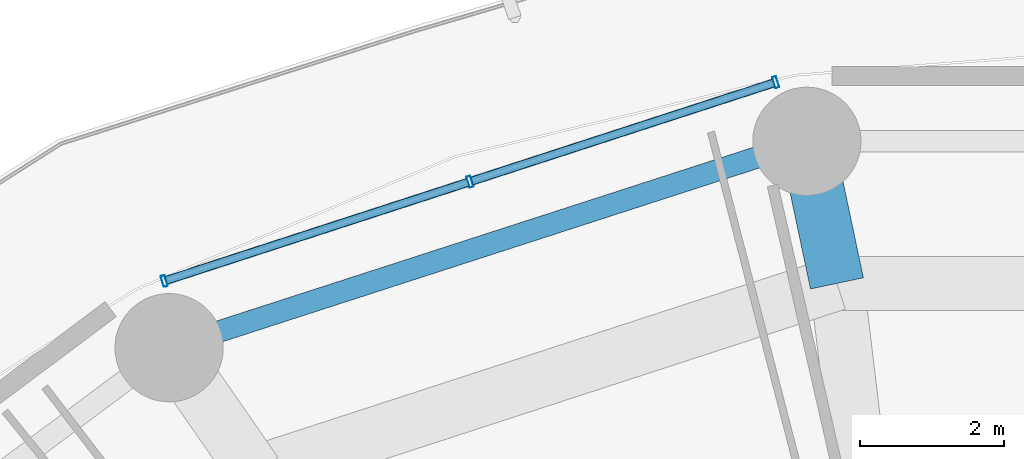
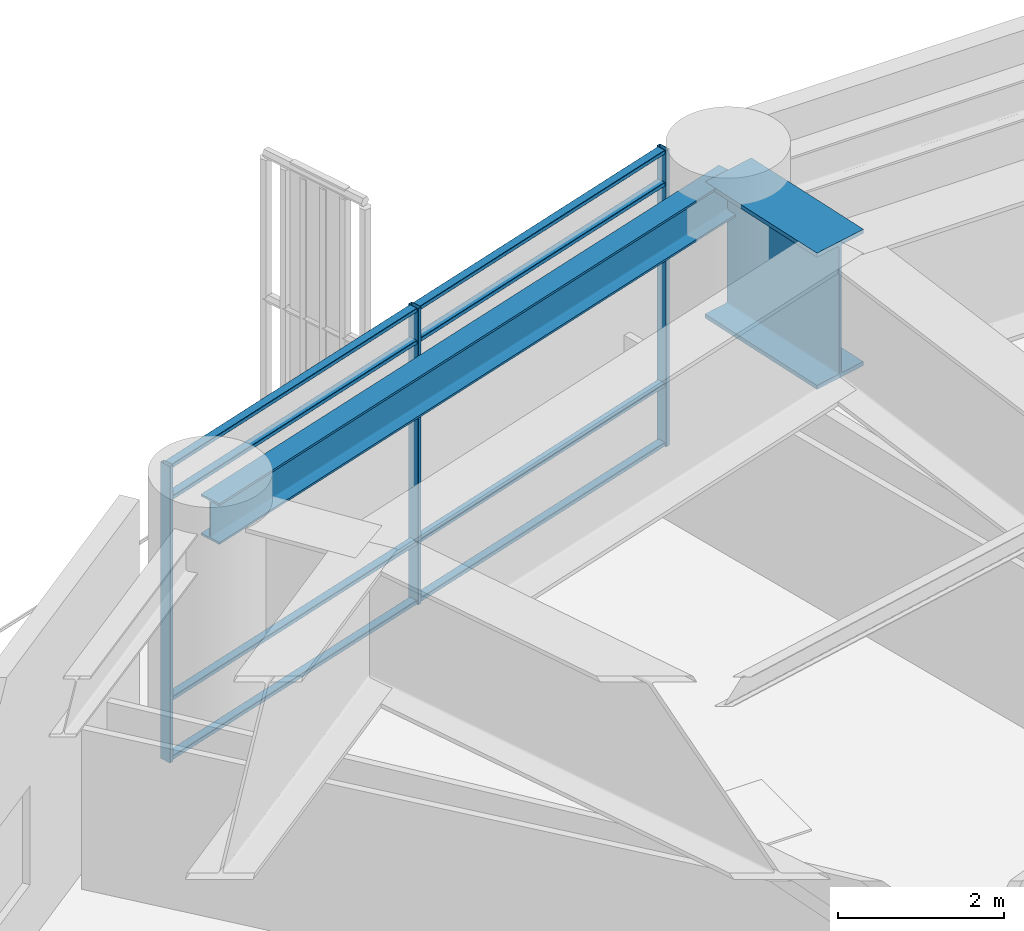
# One storey, part 16 of 31: 11 members, 2 beams, 1 element without a shape of its own.
"""IFC4 building model written with IfcOpenShell, lengths in metres."""

import ifcopenshell
import ifcopenshell.guid

model = None  # the IFC model being written
_history = None  # IfcOwnerHistory: only IFC2X3 demands one
_inside = {}  # id of a spatial element -> (the spatial element, [elements in it])
_under = {}  # id of a project, library or spatial element -> (it, [spatial elements below it])
_declared = {}  # id of a project -> (the project, [libraries it declares])
_typed = {}  # id of a type object -> (the type object, [elements of that type])
_made_of = {}  # id of a material, layer set ... -> (it, [elements and type objects made of it])


def new_model(schema):
    """Start an empty IFC model of exactly this schema.

    Asked for "IFC4X3", IfcOpenShell would pick the latest addendum, in which some entities
    have other attributes; the version numbers below select the first issue.
    IFC2X3 requires an IfcOwnerHistory on every rooted entity: one is made here for all.
    """
    global model, _history
    if schema == "IFC4X3":
        model = ifcopenshell.file(schema_version=(4, 3, 0, 0))
    else:
        model = ifcopenshell.file(schema=schema)
    _inside.clear()
    _under.clear()
    _declared.clear()
    _typed.clear()
    _made_of.clear()
    _history = None
    if model.schema == "IFC2X3":
        org = make("IfcOrganization", Name="unknown")
        user = make(
            "IfcPersonAndOrganization",
            ThePerson=make("IfcPerson", FamilyName="unknown"),
            TheOrganization=org,
        )
        app = make(
            "IfcApplication",
            ApplicationDeveloper=org,
            Version="unknown",
            ApplicationFullName="unknown",
            ApplicationIdentifier="unknown",
        )
        _history = make(
            "IfcOwnerHistory",
            OwningUser=user,
            OwningApplication=app,
            ChangeAction="ADDED",
            CreationDate=0,
        )
    return model


def make(cls, **values):
    """One entity of the class cls with the attributes given. An attribute that is None is left unset."""
    return model.create_entity(
        cls, **{name: value for name, value in values.items() if value is not None}
    )


def rooted(cls, **values):
    """An entity with a GlobalId (a new one), such as an element, a storey or a relation."""
    return make(cls, GlobalId=ifcopenshell.guid.new(), OwnerHistory=_history, **values)


def si_unit(unit_type, name, prefix=None):
    """IfcSIUnit, for example si_unit("LENGTHUNIT", "METRE", prefix="MILLI")."""
    return make("IfcSIUnit", UnitType=unit_type, Prefix=prefix, Name=name)


def assignment(units):
    """IfcUnitAssignment: the units of a project."""
    return None if units is None else make("IfcUnitAssignment", Units=units)


def point(xyz):
    """IfcCartesianPoint."""
    return None if xyz is None else make("IfcCartesianPoint", Coordinates=xyz)


def direction(xyz):
    """IfcDirection."""
    return None if xyz is None else make("IfcDirection", DirectionRatios=xyz)


def frame(location, z_axis=None, x_axis=None):
    """IfcAxis2Placement3D, a coordinate frame: its origin and axes. An axis left out is left unset."""
    return make(
        "IfcAxis2Placement3D",
        Location=point(location),
        Axis=direction(z_axis),
        RefDirection=direction(x_axis),
    )


def frame_2d(location, x_axis=None):
    """IfcAxis2Placement2D, a coordinate frame in the plane: its origin and x axis."""
    return make(
        "IfcAxis2Placement2D", Location=point(location), RefDirection=direction(x_axis)
    )


def origin():
    """The frame at (0, 0, 0) with its axes left unset."""
    return frame((0.0, 0.0, 0.0))


def origin_2d():
    """The frame at (0, 0) in the plane with its x axis left unset."""
    return frame_2d((0.0, 0.0))


def place(relative_to, where):
    """IfcLocalPlacement: puts the frame where relative to a parent placement (None: the world)."""
    return make(
        "IfcLocalPlacement", PlacementRelTo=relative_to, RelativePlacement=where
    )


def context(
    kind, dimensions, precision=None, world=None, true_north=None, identifier=None
):
    """IfcGeometricRepresentationContext, for example the 3D "Model" context."""
    return make(
        "IfcGeometricRepresentationContext",
        ContextIdentifier=identifier,
        ContextType=kind,
        CoordinateSpaceDimension=dimensions,
        Precision=precision,
        WorldCoordinateSystem=world,
        TrueNorth=true_north,
    )


def subcontext(parent, identifier, kind, view, scale=None):
    """IfcGeometricRepresentationSubContext, for example "Body" below "Model"."""
    return make(
        "IfcGeometricRepresentationSubContext",
        ContextIdentifier=identifier,
        ContextType=kind,
        ParentContext=parent,
        TargetScale=scale,
        TargetView=view,
    )


def project(units=None, contexts=None):
    """IfcProject with its units and contexts."""
    return rooted(
        "IfcProject",
        Name="project",
        RepresentationContexts=contexts,
        UnitsInContext=assignment(units),
    )


def spatial(cls, under=None, at=None, **own):
    """A site, building, storey or space (cls), placed at a placement, below another one or the project."""
    s = rooted(cls, ObjectPlacement=at, **own)
    if under is not None:
        _under.setdefault(under.id(), (under, []))[1].append(s)
    return s


def profile(cls, at=None, kind="AREA", **sizes):
    """A parametric profile (cls). Its sizes go by their IFC names, for example OverallWidth=200.0."""
    return make(cls, ProfileType=kind, Position=at, **sizes)


def hollow_rectangle(**sizes):
    """IfcRectangleHollowProfileDef."""
    return profile("IfcRectangleHollowProfileDef", **sizes)


def i_section(**sizes):
    """IfcIShapeProfileDef."""
    return profile("IfcIShapeProfileDef", **sizes)


def extrude(swept, where, along, depth):
    """IfcExtrudedAreaSolid: the profile swept, set in the frame where, extruded along a direction by depth."""
    return make(
        "IfcExtrudedAreaSolid",
        SweptArea=swept,
        Position=where,
        ExtrudedDirection=direction(along),
        Depth=depth,
    )


def shape(context_of_items, identifier, shape_type, items):
    """IfcShapeRepresentation: the items that make up one representation, for example the "Body"."""
    return make(
        "IfcShapeRepresentation",
        ContextOfItems=context_of_items,
        RepresentationIdentifier=identifier,
        RepresentationType=shape_type,
        Items=items,
    )


def material(Name=None, Category=None):
    """IfcMaterial."""
    return make("IfcMaterial", Name=Name, Category=Category)


def layer(
    of_material, thickness, ventilated=None, Name=None, Category=None, Priority=None
):
    """IfcMaterialLayer: one layer of a wall or slab, of a material (None: an air gap)."""
    return make(
        "IfcMaterialLayer",
        Material=of_material,
        LayerThickness=thickness,
        IsVentilated=ventilated,
        Name=Name,
        Category=Category,
        Priority=Priority,
    )


def layer_set(layers, Name=None):
    """IfcMaterialLayerSet."""
    return make("IfcMaterialLayerSet", MaterialLayers=layers, LayerSetName=Name)


def material_profile(
    of_material, cross_section, Name=None, Category=None, Priority=None
):
    """IfcMaterialProfile: a cross section and its material."""
    return make(
        "IfcMaterialProfile",
        Name=Name,
        Material=of_material,
        Profile=cross_section,
        Priority=Priority,
        Category=Category,
    )


def profile_set(profiles, Name=None, composite=None):
    """IfcMaterialProfileSet."""
    return make(
        "IfcMaterialProfileSet",
        Name=Name,
        MaterialProfiles=profiles,
        CompositeProfile=composite,
    )


def made_of(thing, what):
    """Note that an element or type object is made of a material, layer set ...; save() writes the relation."""
    if what is not None:
        _made_of.setdefault(what.id(), (what, []))[1].append(thing)
    return thing


def type_object(cls, material=None, **own):
    """A type object (cls), such as IfcWallType, which elements share."""
    return made_of(rooted(cls, **own), material)


def element(
    cls,
    number,
    at=None,
    inside=None,
    cuts=None,
    type_object=None,
    material=None,
    context=None,
    identifier="Body",
    shape_type=None,
    held_by="IfcProductDefinitionShape",
    body=None,
    shapes=None,
    **own,
):
    """One element of the class cls, such as IfcWall. Its Tag is "e" and its number.

    at: its placement. inside: the storey or other place that contains it. cuts: it is an
    opening in that element (IfcRelVoidsElement). A single representation is given by context,
    identifier, shape_type and body (its items); several are given by shapes. held_by: the class
    of the entity that holds the representations. save() writes the other relations.
    """
    e = rooted(cls, Tag="e%d" % number, ObjectPlacement=at, **own)
    if body is not None:
        shapes = [shape(context, identifier, shape_type, body)]
    if shapes is not None:
        e.Representation = make(held_by, Representations=shapes)
    if inside is not None:
        _inside.setdefault(inside.id(), (inside, []))[1].append(e)
    if cuts is not None:
        rooted(
            "IfcRelVoidsElement", RelatingBuildingElement=cuts, RelatedOpeningElement=e
        )
    if type_object is not None:
        _typed.setdefault(type_object.id(), (type_object, []))[1].append(e)
    return made_of(e, material)


def aggregate(whole, parts):
    """IfcRelAggregates: a whole, such as a stair, and the parts it consists of."""
    return rooted("IfcRelAggregates", RelatingObject=whole, RelatedObjects=parts)


def save(model, path):
    """Write the relations noted so far, then the file.

    IfcRelAggregates (storeys below a building ...), IfcRelContainedInSpatialStructure (elements
    in a storey), IfcRelDefinesByType, IfcRelAssociatesMaterial and IfcRelDeclares: one each for
    every whole, place, type object, material and project.
    """
    for whole, parts in _under.values():
        aggregate(whole, parts)
    for where, things in _inside.values():
        rooted(
            "IfcRelContainedInSpatialStructure",
            RelatedElements=things,
            RelatingStructure=where,
        )
    for kind, things in _typed.values():
        rooted("IfcRelDefinesByType", RelatedObjects=things, RelatingType=kind)
    for what, things in _made_of.values():
        rooted("IfcRelAssociatesMaterial", RelatedObjects=things, RelatingMaterial=what)
    for by, libraries in _declared.values():
        rooted("IfcRelDeclares", RelatingContext=by, RelatedDefinitions=libraries)
    model.write(path)


model = new_model("IFC4")

# Units and contexts
model_context = context("Model", 3, precision=1e-05, world=origin(), true_north=direction((0.0, 1.0)))
body_context = subcontext(model_context, "Body", "Model", "MODEL_VIEW")
ifc_project = project(units=[si_unit("LENGTHUNIT", "METRE"), si_unit("AREAUNIT", "SQUARE_METRE"), si_unit("VOLUMEUNIT", "CUBIC_METRE"), si_unit("PLANEANGLEUNIT", "RADIAN"), si_unit("MASSUNIT", "GRAM", prefix="KILO")], contexts=[model_context])

# Site, building, storey
site_placement = place(None, origin())
site = spatial("IfcSite", under=ifc_project, at=site_placement, CompositionType="ELEMENT")
building_placement = place(site_placement, origin())
building = spatial("IfcBuilding", under=site, at=building_placement, Name="Kelanora Arch Commons", CompositionType="ELEMENT")
storey_placement = place(building_placement, frame((0.0, 0.0, 67.5)))
storey = spatial("IfcBuildingStorey", under=building, at=storey_placement, Name="L17", CompositionType="ELEMENT", Elevation=67.5)

# Beams
ifc_material_1 = material(Name="Steel S355", Category="steel")
ifc_material_profile_1 = material_profile(ifc_material_1, i_section(OverallWidth=0.300048828125, OverallDepth=0.60009765625, WebThickness=0.015380859375, FlangeThickness=0.030029296875, FilletRadius=0.027099609375, at=origin_2d()), Name="HEB600")
ifc_profile_set_1 = profile_set([ifc_material_profile_1], Name="Steel S355")
beam_type_1 = type_object("IfcBeamType", Name="BM-SPN-Z1", PredefinedType="SPANDREL", material=ifc_profile_set_1)
beam_1_placement = place(storey_placement, frame((69.297607421875, 81.714111328125, 4.06005859375), z_axis=(-0.951417120402, -0.307904957748, 0.0), x_axis=(0.307904957748, -0.951417120402, 0.0)))
element("IfcBeam", 1, at=beam_1_placement, inside=storey, type_object=beam_type_1, Name="Perimeter Spandrel Beam BS-10 L17", PredefinedType="SPANDREL", context=body_context, shape_type="SweptSolid", body=[
    extrude(i_section(OverallWidth=0.300048828125, OverallDepth=0.60009765625, WebThickness=0.015380859375, FlangeThickness=0.030029296875, FilletRadius=0.027099609375, at=origin_2d()), origin(), (0.0, 0.0, 1.0), 9.288818359375),
])
ifc_material_profile_2 = material_profile(ifc_material_1, i_section(OverallWidth=0.75, OverallDepth=2.0, WebThickness=0.034912109375, FlangeThickness=0.06005859375, FilletRadius=0.028076171875, at=origin_2d()), Name="PG2000x750")
ifc_profile_set_2 = profile_set([ifc_material_profile_2], Name="Steel S355")
beam_type_2 = type_object("IfcBeamType", Name="BM-XFER-SET", PredefinedType="USERDEFINED", material=ifc_profile_set_2)
beam_2_placement = place(storey_placement, frame((69.71435546875, 79.74462890625, 3.360107421875), z_axis=(-0.207018863964, 0.978336951139, 0.0), x_axis=(-0.978336951139, -0.207018863964, 0.0)))
element("IfcBeam", 2, at=beam_2_placement, inside=storey, type_object=beam_type_2, Name="Radial Floor Girder BR-10 L17", ObjectType="TRANSFER_GIRDER", PredefinedType="USERDEFINED", context=body_context, shape_type="SweptSolid", body=[
    extrude(i_section(OverallWidth=0.75, OverallDepth=2.0, WebThickness=0.034912109375, FlangeThickness=0.06005859375, FilletRadius=0.028076171875, at=origin_2d()), origin(), (0.0, 0.0, 1.0), 2.01318359375),
])

# Curtain wall, members
ifc_material_2 = material(Name="Terracotta ceramic-fritted low-E glass and aluminium", Category="masonry")
ifc_layer = layer(ifc_material_2, 0.159912109375)
ifc_layer_set = layer_set([ifc_layer], Name="Terracotta ceramic-fritted low-E glass and aluminium")
curtain_wall_type = type_object("IfcCurtainWallType", Name="CW-SYS-01", PredefinedType="NOTDEFINED", material=ifc_layer_set)
curtain_wall_placement = place(storey_placement, origin())
curtain_wall = element("IfcCurtainWall", 3, at=curtain_wall_placement, inside=storey, type_object=curtain_wall_type, Name="Unitised Curtain Wall L17-B05", PredefinedType="NOTDEFINED")
ifc_material_3 = material(Name="Powder-coated aluminium terracotta", Category="masonry")
ifc_material_profile_3 = material_profile(ifc_material_3, hollow_rectangle(XDim=0.159912109375, YDim=0.06005859375, WallThickness=0.0048828125, InnerFilletRadius=0.0048828125, OuterFilletRadius=0.010009765625, at=origin_2d()), Name="CWM160x60")
ifc_profile_set_3 = profile_set([ifc_material_profile_3], Name="Powder-coated aluminium terracotta")
member_type_1 = type_object("IfcMemberType", Name="CWM-STD", PredefinedType="MULLION", material=ifc_profile_set_3)
member_1_placement = place(storey_placement, frame((68.865478515625, 82.53173828125, 0.0), z_axis=(0.0, 0.0, 1.0), x_axis=(0.30905758454, -0.951043326793, 0.0)))
member_1 = element("IfcMember", 4, at=member_1_placement, type_object=member_type_1, Name="CW-01 mullion 1", PredefinedType="MULLION", context=body_context, shape_type="SweptSolid", body=[
    extrude(hollow_rectangle(XDim=0.159912109375, YDim=0.06005859375, WallThickness=0.0048828125, InnerFilletRadius=0.0048828125, OuterFilletRadius=0.010009765625, at=origin_2d()), origin(), (0.0, 0.0, 1.0), 4.344970703125),
])
member_2_placement = place(storey_placement, frame((64.62890625, 81.15478515625, 0.0), z_axis=(0.0, 0.0, 1.0), x_axis=(0.30905758454, -0.951043326793, 0.0)))
member_2 = element("IfcMember", 5, at=member_2_placement, type_object=member_type_1, Name="CW-01 mullion 2", PredefinedType="MULLION", context=body_context, shape_type="SweptSolid", body=[
    extrude(hollow_rectangle(XDim=0.159912109375, YDim=0.06005859375, WallThickness=0.0048828125, InnerFilletRadius=0.0048828125, OuterFilletRadius=0.010009765625, at=origin_2d()), origin(), (0.0, 0.0, 1.0), 4.344970703125),
])
member_3_placement = place(storey_placement, frame((60.392333984375, 79.778076171875, 0.0), z_axis=(0.0, 0.0, 1.0), x_axis=(0.30905758454, -0.951043326793, 0.0)))
member_3 = element("IfcMember", 6, at=member_3_placement, type_object=member_type_1, Name="CW-01 mullion 3", PredefinedType="MULLION", context=body_context, shape_type="SweptSolid", body=[
    extrude(hollow_rectangle(XDim=0.159912109375, YDim=0.06005859375, WallThickness=0.0048828125, InnerFilletRadius=0.0048828125, OuterFilletRadius=0.010009765625, at=origin_2d()), origin(), (0.0, 0.0, 1.0), 4.344970703125),
])
ifc_material_profile_4 = material_profile(ifc_material_3, hollow_rectangle(XDim=0.1201171875, YDim=0.06005859375, WallThickness=0.0048828125, InnerFilletRadius=0.0048828125, OuterFilletRadius=0.010009765625, at=origin_2d()), Name="CWT120x60")
ifc_profile_set_4 = profile_set([ifc_material_profile_4], Name="Powder-coated aluminium terracotta")
member_type_2 = type_object("IfcMemberType", Name="CWT-STD", PredefinedType="USERDEFINED", material=ifc_profile_set_4)
member_4_placement = place(storey_placement, frame((68.8369140625, 82.5224609375, 0.030029296875), z_axis=(-0.951028761285, -0.309102402464, 0.0), x_axis=(0.309102402464, -0.951028761285, 0.0)))
member_4 = element("IfcMember", 7, at=member_4_placement, type_object=member_type_2, Name="CW-01 transom 1.1", ObjectType="TRANSOM", PredefinedType="USERDEFINED", context=body_context, shape_type="SweptSolid", body=[
    extrude(hollow_rectangle(XDim=0.1201171875, YDim=0.06005859375, WallThickness=0.0048828125, InnerFilletRadius=0.0048828125, OuterFilletRadius=0.010009765625, at=origin_2d()), origin(), (0.0, 0.0, 1.0), 4.394775390625),
])
member_5_placement = place(storey_placement, frame((68.8369140625, 82.5224609375, 0.89990234375), z_axis=(-0.951028761285, -0.309102402464, 0.0), x_axis=(0.309102402464, -0.951028761285, 0.0)))
member_5 = element("IfcMember", 8, at=member_5_placement, type_object=member_type_2, Name="CW-01 transom 1.2", ObjectType="TRANSOM", PredefinedType="USERDEFINED", context=body_context, shape_type="SweptSolid", body=[
    extrude(hollow_rectangle(XDim=0.1201171875, YDim=0.06005859375, WallThickness=0.0048828125, InnerFilletRadius=0.0048828125, OuterFilletRadius=0.010009765625, at=origin_2d()), origin(), (0.0, 0.0, 1.0), 4.394775390625),
])
member_6_placement = place(storey_placement, frame((68.8369140625, 82.5224609375, 3.844970703125), z_axis=(-0.951028761285, -0.309102402464, 0.0), x_axis=(0.309102402464, -0.951028761285, 0.0)))
member_6 = element("IfcMember", 9, at=member_6_placement, type_object=member_type_2, Name="CW-01 transom 1.3", ObjectType="TRANSOM", PredefinedType="USERDEFINED", context=body_context, shape_type="SweptSolid", body=[
    extrude(hollow_rectangle(XDim=0.1201171875, YDim=0.06005859375, WallThickness=0.0048828125, InnerFilletRadius=0.0048828125, OuterFilletRadius=0.010009765625, at=origin_2d()), origin(), (0.0, 0.0, 1.0), 4.394775390625),
])
member_7_placement = place(storey_placement, frame((68.8369140625, 82.5224609375, 4.31494140625), z_axis=(-0.951028761285, -0.309102402464, 0.0), x_axis=(0.309102402464, -0.951028761285, 0.0)))
member_7 = element("IfcMember", 10, at=member_7_placement, type_object=member_type_2, Name="CW-01 transom 1.4", ObjectType="TRANSOM", PredefinedType="USERDEFINED", context=body_context, shape_type="SweptSolid", body=[
    extrude(hollow_rectangle(XDim=0.1201171875, YDim=0.06005859375, WallThickness=0.0048828125, InnerFilletRadius=0.0048828125, OuterFilletRadius=0.010009765625, at=origin_2d()), origin(), (0.0, 0.0, 1.0), 4.394775390625),
])
member_8_placement = place(storey_placement, frame((64.600341796875, 81.1455078125, 0.030029296875), z_axis=(-0.951045091182, -0.309052155047, 0.0), x_axis=(0.309052155047, -0.951045091182, 0.0)))
member_8 = element("IfcMember", 11, at=member_8_placement, type_object=member_type_2, Name="CW-01 transom 2.1", ObjectType="TRANSOM", PredefinedType="USERDEFINED", context=body_context, shape_type="SweptSolid", body=[
    extrude(hollow_rectangle(XDim=0.1201171875, YDim=0.06005859375, WallThickness=0.0048828125, InnerFilletRadius=0.0048828125, OuterFilletRadius=0.010009765625, at=origin_2d()), origin(), (0.0, 0.0, 1.0), 4.39453125),
])
member_9_placement = place(storey_placement, frame((64.600341796875, 81.1455078125, 0.89990234375), z_axis=(-0.951045091182, -0.309052155047, 0.0), x_axis=(0.309052155047, -0.951045091182, 0.0)))
member_9 = element("IfcMember", 12, at=member_9_placement, type_object=member_type_2, Name="CW-01 transom 2.2", ObjectType="TRANSOM", PredefinedType="USERDEFINED", context=body_context, shape_type="SweptSolid", body=[
    extrude(hollow_rectangle(XDim=0.1201171875, YDim=0.06005859375, WallThickness=0.0048828125, InnerFilletRadius=0.0048828125, OuterFilletRadius=0.010009765625, at=origin_2d()), origin(), (0.0, 0.0, 1.0), 4.39453125),
])
member_10_placement = place(storey_placement, frame((64.600341796875, 81.1455078125, 3.844970703125), z_axis=(-0.951045091182, -0.309052155047, 0.0), x_axis=(0.309052155047, -0.951045091182, 0.0)))
member_10 = element("IfcMember", 13, at=member_10_placement, type_object=member_type_2, Name="CW-01 transom 2.3", ObjectType="TRANSOM", PredefinedType="USERDEFINED", context=body_context, shape_type="SweptSolid", body=[
    extrude(hollow_rectangle(XDim=0.1201171875, YDim=0.06005859375, WallThickness=0.0048828125, InnerFilletRadius=0.0048828125, OuterFilletRadius=0.010009765625, at=origin_2d()), origin(), (0.0, 0.0, 1.0), 4.39453125),
])
member_11_placement = place(storey_placement, frame((64.600341796875, 81.1455078125, 4.31494140625), z_axis=(-0.951045091182, -0.309052155047, 0.0), x_axis=(0.309052155047, -0.951045091182, 0.0)))
member_11 = element("IfcMember", 14, at=member_11_placement, type_object=member_type_2, Name="CW-01 transom 2.4", ObjectType="TRANSOM", PredefinedType="USERDEFINED", context=body_context, shape_type="SweptSolid", body=[
    extrude(hollow_rectangle(XDim=0.1201171875, YDim=0.06005859375, WallThickness=0.0048828125, InnerFilletRadius=0.0048828125, OuterFilletRadius=0.010009765625, at=origin_2d()), origin(), (0.0, 0.0, 1.0), 4.39453125),
])
aggregate(curtain_wall, [member_1, member_2, member_3, member_4, member_5, member_6, member_7, member_8, member_9, member_10, member_11])

save(model, "model.ifc")
